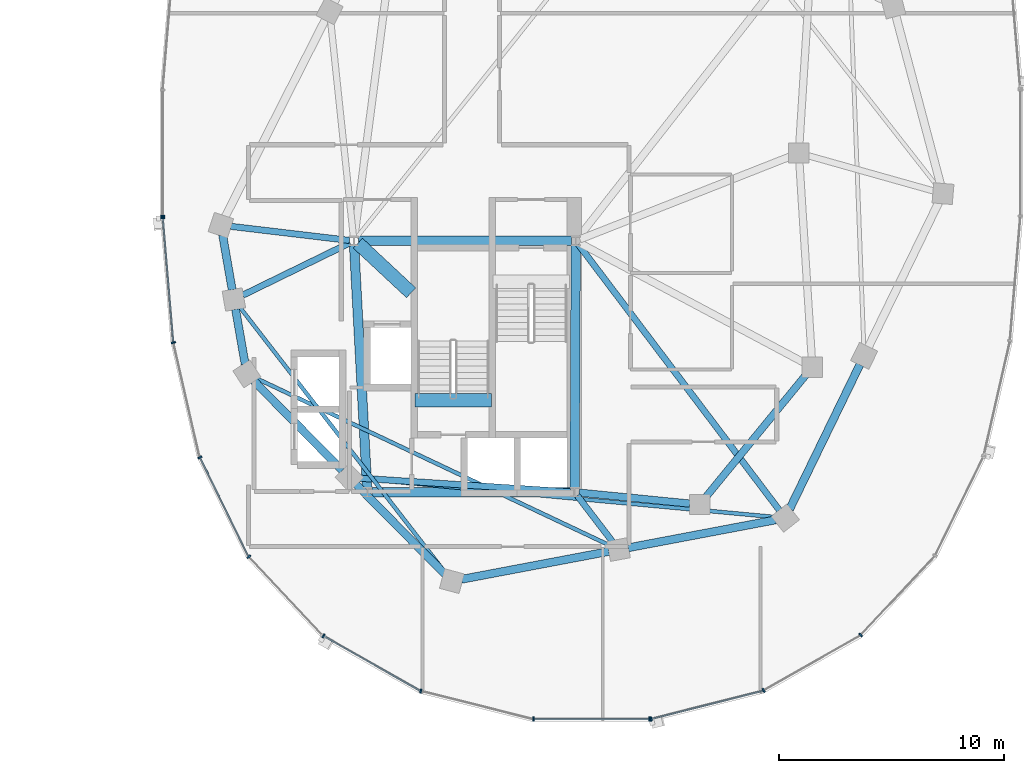
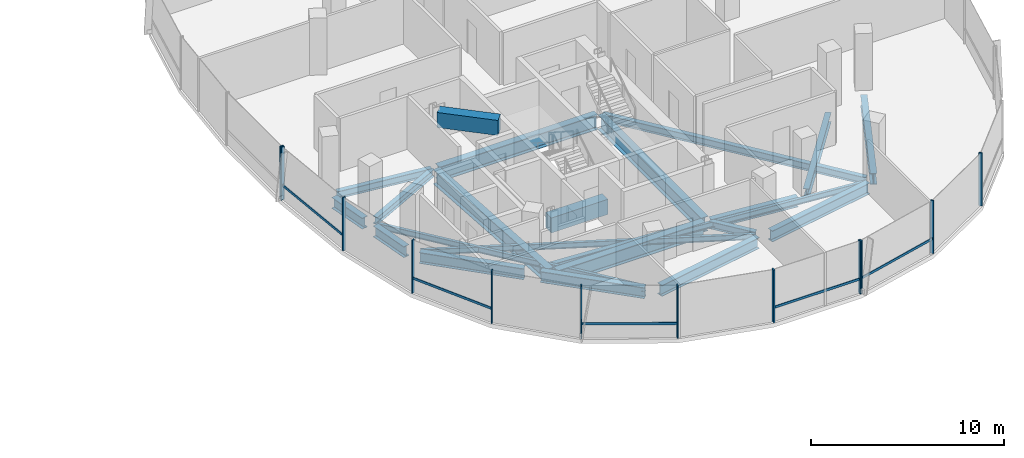
# One storey, part 8 of 25: 23 beams, 17 members, 3 elements without a shape of their own.
"""IFC4 building model written with IfcOpenShell, lengths in metres."""

from ifc_helpers import new_model, si_unit, direction, frame, origin, origin_2d, place, context, subcontext, project, spatial, rectangle, i_section, extrude, material, material_profile, profile_set, type_object, element, aggregate, save


model = new_model("IFC4")

# Units and contexts
model_context = context("Model", 3, precision=1e-05, world=origin(), true_north=direction((0.0, 1.0)))
body_context = subcontext(model_context, "Body", "Model", "MODEL_VIEW")
ifc_project = project(units=[si_unit("LENGTHUNIT", "METRE"), si_unit("AREAUNIT", "SQUARE_METRE"), si_unit("VOLUMEUNIT", "CUBIC_METRE"), si_unit("PLANEANGLEUNIT", "RADIAN"), si_unit("MASSUNIT", "GRAM", prefix="KILO"), si_unit("THERMODYNAMICTEMPERATUREUNIT", "KELVIN"), si_unit("POWERUNIT", "WATT")], contexts=[model_context])

# Site, building, storey
site_placement = place(None, origin())
site = spatial("IfcSite", under=ifc_project, at=site_placement, CompositionType="ELEMENT")
building_placement = place(site_placement, origin())
building = spatial("IfcBuilding", under=site, at=building_placement, Name="Cundina Bronze Exchange", CompositionType="ELEMENT")
storey_placement = place(building_placement, frame((0.0, 0.0, 220.60009765625)))
storey = spatial("IfcBuildingStorey", under=building, at=storey_placement, Name="L58", CompositionType="ELEMENT", Elevation=220.60009765625)

# Beams
ifc_material_1 = material(Name="Concrete C60/75", Category="concrete")
ifc_material_profile_1 = material_profile(ifc_material_1, rectangle(XDim=0.60009765625, YDim=0.949951171875, at=origin_2d()), Name="RC600X950", Category="concrete")
ifc_profile_set_1 = profile_set([ifc_material_profile_1], Name="Concrete C60/75")
beam_type_1 = type_object("IfcBeamType", Name="BM-COUP-RC950", PredefinedType="LINTEL", material=ifc_profile_set_1)
beam_1_placement = place(storey_placement, frame((24.159912109375, -10.97998046875, -0.47509765625), z_axis=(1.0, 0.0, 0.0), x_axis=(0.0, 1.0, 0.0)))
element("IfcBeam", 1, at=beam_1_placement, inside=storey, type_object=beam_type_1, Name="L58 Stair E2 Landing Header Beam", PredefinedType="LINTEL", context=body_context, shape_type="SweptSolid", body=[
    extrude(rectangle(XDim=0.60009765625, YDim=0.949951171875, at=origin_2d()), origin(), (0.0, 0.0, 1.0), 3.400146484375),
])
beam_2_placement = place(storey_placement, frame((21.6298828125, -4.0, 2.864990234375), z_axis=(0.731490439815, -0.681851696822, 0.0), x_axis=(0.681851696822, 0.731490439815, 0.0)))
element("IfcBeam", 2, at=beam_2_placement, inside=storey, type_object=beam_type_1, Name="L58 E Core Shear Coupling Lintel Beam", PredefinedType="LINTEL", context=body_context, shape_type="SweptSolid", body=[
    extrude(rectangle(XDim=0.60009765625, YDim=0.949951171875, at=origin_2d()), origin(), (0.0, 0.0, 1.0), 3.226318359375),
])
ifc_material_2 = material(Name="Steel ASTM A992 Grade 50", Category="steel")
ifc_material_profile_2 = material_profile(ifc_material_2, i_section(OverallWidth=0.280029296875, OverallDepth=0.462890625, WebThickness=0.0107421875, FlangeThickness=0.017333984375, FilletRadius=0.011962890625, at=origin_2d()), Name="W18X76", Category="steel")
ifc_profile_set_2 = profile_set([ifc_material_profile_2], Name="Steel ASTM A992 Grade 50")
beam_type_2 = type_object("IfcBeamType", Name="BM-FLR-W18A", PredefinedType="BEAM", material=ifc_profile_set_2)
beam_3_placement = place(storey_placement, frame((21.25537109375, -3.876953125, -0.49169921875), z_axis=(-0.993036786722, 0.117804669761, 0.0), x_axis=(-0.117804669761, -0.993036786722, 0.0)))
element("IfcBeam", 3, at=beam_3_placement, inside=storey, type_object=beam_type_2, Name="L58 Leg E Chordal Floor Beam 00", PredefinedType="BEAM", context=body_context, shape_type="SweptSolid", body=[
    extrude(i_section(OverallWidth=0.280029296875, OverallDepth=0.462890625, WebThickness=0.0107421875, FlangeThickness=0.017333984375, FilletRadius=0.011962890625, at=origin_2d()), origin(), (0.0, 0.0, 1.0), 5.307373046875),
])
beam_4_placement = place(storey_placement, frame((21.27392578125, -3.986083984375, -0.49169921875), z_axis=(-0.898613202677, -0.438741737214, 0.0), x_axis=(0.438741737214, -0.898613202677, 0.0)))
element("IfcBeam", 4, at=beam_4_placement, inside=storey, type_object=beam_type_2, Name="L58 Leg E Chordal Floor Beam 01", PredefinedType="BEAM", context=body_context, shape_type="SweptSolid", body=[
    extrude(i_section(OverallWidth=0.280029296875, OverallDepth=0.462890625, WebThickness=0.0107421875, FlangeThickness=0.017333984375, FilletRadius=0.011962890625, at=origin_2d()), origin(), (0.0, 0.0, 1.0), 5.2919921875),
])
beam_5_placement = place(storey_placement, frame((31.054443359375, -15.037353515625, -0.49169921875), z_axis=(-0.997894145252, 0.064863509559, 0.0), x_axis=(-0.064863509559, -0.997894145252, 0.0)))
element("IfcBeam", 5, at=beam_5_placement, inside=storey, type_object=beam_type_2, Name="L58 Leg E Chordal Floor Beam 03", PredefinedType="BEAM", context=body_context, shape_type="SweptSolid", body=[
    extrude(i_section(OverallWidth=0.280029296875, OverallDepth=0.462890625, WebThickness=0.0107421875, FlangeThickness=0.017333984375, FilletRadius=0.011962890625, at=origin_2d()), origin(), (0.0, 0.0, 1.0), 9.38720703125),
])
beam_6_placement = place(storey_placement, frame((31.369140625, -15.205810546875, -0.49169921875), z_axis=(0.60740437517, -0.794392802727, 0.0), x_axis=(0.794392802727, 0.60740437517, 0.0)))
element("IfcBeam", 6, at=beam_6_placement, inside=storey, type_object=beam_type_2, Name="L58 Leg E Chordal Floor Beam 05", PredefinedType="BEAM", context=body_context, shape_type="SweptSolid", body=[
    extrude(i_section(OverallWidth=0.280029296875, OverallDepth=0.462890625, WebThickness=0.0107421875, FlangeThickness=0.017333984375, FilletRadius=0.011962890625, at=origin_2d()), origin(), (0.0, 0.0, 1.0), 2.575927734375),
])
beam_7_placement = place(storey_placement, frame((31.418212890625, -4.056396484375, -0.49169921875), z_axis=(0.603104943786, -0.797661849897, 0.0), x_axis=(0.797661849897, 0.603104943786, 0.0)))
element("IfcBeam", 7, at=beam_7_placement, inside=storey, type_object=beam_type_2, Name="L58 Leg E Chordal Floor Beam 06", PredefinedType="BEAM", context=body_context, shape_type="SweptSolid", body=[
    extrude(i_section(OverallWidth=0.280029296875, OverallDepth=0.462890625, WebThickness=0.0107421875, FlangeThickness=0.017333984375, FilletRadius=0.011962890625, at=origin_2d()), origin(), (0.0, 0.0, 1.0), 14.785888671875),
])
ifc_material_profile_3 = material_profile(ifc_material_2, i_section(OverallWidth=0.172119140625, OverallDepth=0.35791015625, WebThickness=0.0078125, FlangeThickness=0.01318359375, FilletRadius=0.010009765625, at=origin_2d()), Name="W14X38", Category="steel")
ifc_profile_set_3 = profile_set([ifc_material_profile_3], Name="Steel ASTM A992 Grade 50")
beam_type_3 = type_object("IfcBeamType", Name="BM-JST-W14", PredefinedType="JOIST", material=ifc_profile_set_3)
beam_8_placement = place(storey_placement, frame((16.39306640625, -6.846435546875, -0.439208984375), z_axis=(0.612085793291, -0.790791364174, 0.0), x_axis=(0.790791364174, 0.612085793291, 0.0)))
element("IfcBeam", 8, at=beam_8_placement, inside=storey, type_object=beam_type_3, Name="L58 Leg E Lobe Floor Joist 01-04", PredefinedType="JOIST", context=body_context, shape_type="SweptSolid", body=[
    extrude(i_section(OverallWidth=0.172119140625, OverallDepth=0.35791015625, WebThickness=0.0078125, FlangeThickness=0.01318359375, FilletRadius=0.010009765625, at=origin_2d()), origin(), (0.0, 0.0, 1.0), 14.9306640625),
])
beam_9_placement = place(storey_placement, frame((17.095947265625, -9.9873046875, -0.439208984375), z_axis=(0.904073747204, -0.427376484632, 0.0), x_axis=(0.427376484632, 0.904073747204, 0.0)))
element("IfcBeam", 9, at=beam_9_placement, inside=storey, type_object=beam_type_3, Name="L58 Leg E Lobe Floor Joist 02-05", PredefinedType="JOIST", context=body_context, shape_type="SweptSolid", body=[
    extrude(i_section(OverallWidth=0.172119140625, OverallDepth=0.35791015625, WebThickness=0.0078125, FlangeThickness=0.01318359375, FilletRadius=0.010009765625, at=origin_2d()), origin(), (0.0, 0.0, 1.0), 17.374755859375),
])
beam_10_placement = place(storey_placement, frame((21.68603515625, -14.440673828125, -0.439208984375), z_axis=(0.9957017803, -0.092617302415, 0.0), x_axis=(0.092617302415, 0.9957017803, 0.0)))
element("IfcBeam", 10, at=beam_10_placement, inside=storey, type_object=beam_type_3, Name="L58 Leg E Lobe Floor Joist 03-06", PredefinedType="JOIST", context=body_context, shape_type="SweptSolid", body=[
    extrude(i_section(OverallWidth=0.172119140625, OverallDepth=0.35791015625, WebThickness=0.0078125, FlangeThickness=0.01318359375, FilletRadius=0.010009765625, at=origin_2d()), origin(), (0.0, 0.0, 1.0), 18.5576171875),
])
ifc_material_profile_4 = material_profile(ifc_material_2, i_section(OverallWidth=0.324951171875, OverallDepth=0.615966796875, WebThickness=0.013916015625, FlangeThickness=0.021484375, FilletRadius=0.01611328125, at=origin_2d()), Name="W24X117", Category="steel")
ifc_profile_set_4 = profile_set([ifc_material_profile_4], Name="Steel ASTM A992 Grade 50")
beam_type_4 = type_object("IfcBeamType", Name="BM-RING-W24", PredefinedType="USERDEFINED", material=ifc_profile_set_4)
beam_11_placement = place(storey_placement, frame((31.445068359375, -15.0693359375, -0.568115234375), z_axis=(0.995123854478, -0.09863323096, 0.0), x_axis=(0.09863323096, 0.995123854478, 0.0)))
element("IfcBeam", 11, at=beam_11_placement, inside=storey, type_object=beam_type_4, Name="L58 E Inner Structural Ring Girder 01", ObjectType="GIRDER", PredefinedType="USERDEFINED", context=body_context, shape_type="SweptSolid", body=[
    extrude(i_section(OverallWidth=0.324951171875, OverallDepth=0.615966796875, WebThickness=0.013916015625, FlangeThickness=0.021484375, FilletRadius=0.01611328125, at=origin_2d()), origin(), (0.0, 0.0, 1.0), 4.943115234375),
])
beam_12_placement = place(storey_placement, frame((37.07763671875, -15.26123046875, -0.568115234375), z_axis=(0.633912590175, 0.77340469873, 0.0), x_axis=(-0.77340469873, 0.633912590175, 0.0)))
element("IfcBeam", 12, at=beam_12_placement, inside=storey, type_object=beam_type_4, Name="L58 E Inner Structural Ring Girder 02", ObjectType="GIRDER", PredefinedType="USERDEFINED", context=body_context, shape_type="SweptSolid", body=[
    extrude(i_section(OverallWidth=0.324951171875, OverallDepth=0.615966796875, WebThickness=0.013916015625, FlangeThickness=0.021484375, FilletRadius=0.01611328125, at=origin_2d()), origin(), (0.0, 0.0, 1.0), 7.01123046875),
])
ifc_material_profile_5 = material_profile(ifc_material_2, i_section(OverallWidth=0.35498046875, OverallDepth=0.695068359375, WebThickness=0.015380859375, FlangeThickness=0.02490234375, FilletRadius=0.01806640625, at=origin_2d()), Name="W27X146", Category="steel")
ifc_profile_set_5 = profile_set([ifc_material_profile_5], Name="Steel ASTM A992 Grade 50")
beam_type_5 = type_object("IfcBeamType", Name="BM-RING-W27", PredefinedType="USERDEFINED", material=ifc_profile_set_5)
for number, where, z_axis, x_axis, name in (
    (13, (15.625244140625, -3.631591796875, -0.607666015625), (0.171628556628, -0.985161732179, 0.0), (0.985161732179, 0.171628556628, 0.0), "L58 E Perimeter Ring Girder 00"),
    (14, (16.2001953125, -6.931396484375, -0.607666015625), (0.171628556628, -0.985161732179, 0.0), (0.985161732179, 0.171628556628, 0.0), "L58 E Perimeter Ring Girder 01"),
):
    element("IfcBeam", number, at=place(storey_placement, frame(where, z_axis=z_axis, x_axis=x_axis)), inside=storey, type_object=beam_type_5, Name=name, ObjectType="GIRDER", PredefinedType="USERDEFINED", context=body_context, shape_type="SweptSolid", body=[
        extrude(i_section(OverallWidth=0.35498046875, OverallDepth=0.695068359375, WebThickness=0.015380859375, FlangeThickness=0.02490234375, FilletRadius=0.01806640625, at=origin_2d()), origin(), (0.0, 0.0, 1.0), 2.4736328125),
    ])
for number, where, z_axis, x_axis, name in (
    (15, (17.008056640625, -10.111328125, -0.607666015625), (0.703211928763, -0.710980297368, 0.0), (0.710980297368, 0.703211928763, 0.0), "L58 E Perimeter Ring Girder 02"),
    (16, (21.55810546875, -14.71142578125, -0.607666015625), (0.703211928763, -0.710980297368, 0.0), (0.710980297368, 0.703211928763, 0.0), "L58 E Perimeter Ring Girder 03"),
):
    element("IfcBeam", number, at=place(storey_placement, frame(where, z_axis=z_axis, x_axis=x_axis)), inside=storey, type_object=beam_type_5, Name=name, ObjectType="GIRDER", PredefinedType="USERDEFINED", context=body_context, shape_type="SweptSolid", body=[
        extrude(i_section(OverallWidth=0.35498046875, OverallDepth=0.695068359375, WebThickness=0.015380859375, FlangeThickness=0.02490234375, FilletRadius=0.01806640625, at=origin_2d()), origin(), (0.0, 0.0, 1.0), 5.593994140625),
    ])
beam_13_placement = place(storey_placement, frame((26.23046875, -18.918701171875, -0.607666015625), z_axis=(0.982565174657, 0.185918470175, 0.0), x_axis=(-0.185918470175, 0.982565174657, 0.0)))
element("IfcBeam", 17, at=beam_13_placement, inside=storey, type_object=beam_type_5, Name="L58 E Perimeter Ring Girder 04", ObjectType="GIRDER", PredefinedType="USERDEFINED", context=body_context, shape_type="SweptSolid", body=[
    extrude(i_section(OverallWidth=0.35498046875, OverallDepth=0.695068359375, WebThickness=0.015380859375, FlangeThickness=0.02490234375, FilletRadius=0.01806640625, at=origin_2d()), origin(), (0.0, 0.0, 1.0), 6.655029296875),
])
beam_14_placement = place(storey_placement, frame((33.63037109375, -17.5185546875, -0.607666015625), z_axis=(0.982573143022, 0.185876353022, 0.0), x_axis=(-0.185876353022, 0.982573143022, 0.0)))
element("IfcBeam", 18, at=beam_14_placement, inside=storey, type_object=beam_type_5, Name="L58 E Perimeter Ring Girder 05", ObjectType="GIRDER", PredefinedType="USERDEFINED", context=body_context, shape_type="SweptSolid", body=[
    extrude(i_section(OverallWidth=0.35498046875, OverallDepth=0.695068359375, WebThickness=0.015380859375, FlangeThickness=0.02490234375, FilletRadius=0.01806640625, at=origin_2d()), origin(), (0.0, 0.0, 1.0), 6.6552734375),
])
beam_15_placement = place(storey_placement, frame((40.79150390625, -15.80615234375, -0.607666015625), z_axis=(0.437173087764, 0.89937739094, 0.0), x_axis=(-0.89937739094, 0.437173087764, 0.0)))
element("IfcBeam", 19, at=beam_15_placement, inside=storey, type_object=beam_type_5, Name="L58 E Perimeter Ring Girder 06", ObjectType="GIRDER", PredefinedType="USERDEFINED", context=body_context, shape_type="SweptSolid", body=[
    extrude(i_section(OverallWidth=0.35498046875, OverallDepth=0.695068359375, WebThickness=0.015380859375, FlangeThickness=0.02490234375, FilletRadius=0.01806640625, at=origin_2d()), origin(), (0.0, 0.0, 1.0), 7.1298828125),
])
ifc_material_profile_6 = material_profile(ifc_material_2, i_section(OverallWidth=0.41796875, OverallDepth=0.927001953125, WebThickness=0.019287109375, FlangeThickness=0.031982421875, FilletRadius=0.02392578125, at=origin_2d()), Name="W36X231", Category="steel")
ifc_profile_set_6 = profile_set([ifc_material_profile_6], Name="Steel ASTM A992 Grade 50")
beam_type_6 = type_object("IfcBeamType", Name="BM-WRN-W36B", PredefinedType="USERDEFINED", material=ifc_profile_set_6)
beam_16_placement = place(storey_placement, frame((31.10400390625, -3.89990234375, -0.7236328125), z_axis=(-1.0, 0.0, 0.0), x_axis=(0.0, -1.0, 0.0)))
element("IfcBeam", 20, at=beam_16_placement, inside=storey, type_object=beam_type_6, Name="L58 E Core Perimeter Tie Girder 1", ObjectType="GIRDER", PredefinedType="USERDEFINED", context=body_context, shape_type="SweptSolid", body=[
    extrude(i_section(OverallWidth=0.41796875, OverallDepth=0.927001953125, WebThickness=0.019287109375, FlangeThickness=0.031982421875, FilletRadius=0.02392578125, at=origin_2d()), origin(), (0.0, 0.0, 1.0), 9.4580078125),
])
beam_17_placement = place(storey_placement, frame((21.46044921875, -4.095703125, -0.7236328125), z_axis=(0.053749317644, -0.998554460634, 0.0), x_axis=(0.998554460634, 0.053749317644, 0.0)))
element("IfcBeam", 21, at=beam_17_placement, inside=storey, type_object=beam_type_6, Name="L58 E Core Perimeter Tie Girder 2", ObjectType="GIRDER", PredefinedType="USERDEFINED", context=body_context, shape_type="SweptSolid", body=[
    extrude(i_section(OverallWidth=0.41796875, OverallDepth=0.927001953125, WebThickness=0.019287109375, FlangeThickness=0.031982421875, FilletRadius=0.02392578125, at=origin_2d()), origin(), (0.0, 0.0, 1.0), 10.774169921875),
])
beam_18_placement = place(storey_placement, frame((22.24609375, -15.050048828125, -0.7236328125), z_axis=(1.0, 0.0, 0.0), x_axis=(0.0, 1.0, 0.0)))
element("IfcBeam", 22, at=beam_18_placement, inside=storey, type_object=beam_type_6, Name="L58 E Core Perimeter Tie Girder 3", ObjectType="GIRDER", PredefinedType="USERDEFINED", context=body_context, shape_type="SweptSolid", body=[
    extrude(i_section(OverallWidth=0.41796875, OverallDepth=0.927001953125, WebThickness=0.019287109375, FlangeThickness=0.031982421875, FilletRadius=0.02392578125, at=origin_2d()), origin(), (0.0, 0.0, 1.0), 8.807861328125),
])
beam_19_placement = place(storey_placement, frame((31.2509765625, -14.85400390625, -0.7236328125), z_axis=(0.004470623654, 0.999990006712, 0.0), x_axis=(-0.999990006712, 0.004470623654, 0.0)))
element("IfcBeam", 23, at=beam_19_placement, inside=storey, type_object=beam_type_6, Name="L58 E Core Perimeter Tie Girder 4", ObjectType="GIRDER", PredefinedType="USERDEFINED", context=body_context, shape_type="SweptSolid", body=[
    extrude(i_section(OverallWidth=0.41796875, OverallDepth=0.927001953125, WebThickness=0.019287109375, FlangeThickness=0.031982421875, FilletRadius=0.02392578125, at=origin_2d()), origin(), (0.0, 0.0, 1.0), 10.758056640625),
])

# Curtain wall, member
ifc_material_3 = material(Name="Anodised Bronze Aluminium 6063-T6", Category="aluminium")
curtain_wall_type = type_object("IfcCurtainWallType", Name="CWS-UPP-OFF", PredefinedType="NOTDEFINED", material=ifc_material_3)
curtain_wall_1_placement = place(storey_placement, origin())
curtain_wall_1 = element("IfcCurtainWall", 24, at=curtain_wall_1_placement, inside=storey, type_object=curtain_wall_type, Name="L58 CW-05 Curtain Wall Run CWR-L58-E2", PredefinedType="NOTDEFINED")
ifc_material_profile_7 = material_profile(ifc_material_3, rectangle(XDim=0.070068359375, YDim=0.18994140625, at=origin_2d()), Name="AL70X190", Category="aluminium")
ifc_profile_set_7 = profile_set([ifc_material_profile_7], Name="Anodised Bronze Aluminium 6063-T6")
member_type_1 = type_object("IfcMemberType", Name="CWM-MUL-190", PredefinedType="MULLION", material=ifc_profile_set_7)
member_1_placement = place(storey_placement, frame((12.966064453125, -2.794921875, 0.0), z_axis=(0.0, 0.0, 1.0), x_axis=(0.0, -1.0, 0.0)))
member_1 = element("IfcMember", 25, at=member_1_placement, type_object=member_type_1, Name="CW-05 End Mullion", PredefinedType="MULLION", context=body_context, shape_type="SweptSolid", body=[
    extrude(rectangle(XDim=0.070068359375, YDim=0.18994140625, at=origin_2d()), origin(), (0.0, 0.0, 1.0), 3.33984375),
])
aggregate(curtain_wall_1, [member_1])

# Curtain wall, members
curtain_wall_2_placement = place(storey_placement, origin())
curtain_wall_2 = element("IfcCurtainWall", 26, at=curtain_wall_2_placement, inside=storey, type_object=curtain_wall_type, Name="L58 CW-05 Curtain Wall Run CWR-L58-E3", PredefinedType="NOTDEFINED")
member_2_placement = place(storey_placement, frame((12.9697265625, -2.88330078125, 0.0), z_axis=(0.0, 0.0, 1.0), x_axis=(0.083677843332, -0.99649285925, 0.0)))
member_2 = element("IfcMember", 27, at=member_2_placement, type_object=member_type_1, Name="CW-05 Mullion 1", PredefinedType="MULLION", context=body_context, shape_type="SweptSolid", body=[
    extrude(rectangle(XDim=0.070068359375, YDim=0.18994140625, at=origin_2d()), origin(), (0.0, 0.0, 1.0), 3.33984375),
])
member_3_placement = place(storey_placement, frame((13.43994140625, -8.4111328125, 0.0), z_axis=(0.0, 0.0, 1.0), x_axis=(0.223250116011, -0.974761194191, 0.0)))
member_3 = element("IfcMember", 28, at=member_3_placement, type_object=member_type_1, Name="CW-05 Mullion 2", PredefinedType="MULLION", context=body_context, shape_type="SweptSolid", body=[
    extrude(rectangle(XDim=0.070068359375, YDim=0.18994140625, at=origin_2d()), origin(), (0.0, 0.0, 1.0), 3.33984375),
])
member_4_placement = place(storey_placement, frame((14.61572265625, -13.50732421875, 0.0), z_axis=(0.0, 0.0, 1.0), x_axis=(0.440566004113, -0.897720221461, 0.0)))
member_4 = element("IfcMember", 29, at=member_4_placement, type_object=member_type_1, Name="CW-05 Mullion 3", PredefinedType="MULLION", context=body_context, shape_type="SweptSolid", body=[
    extrude(rectangle(XDim=0.070068359375, YDim=0.18994140625, at=origin_2d()), origin(), (0.0, 0.0, 1.0), 3.33984375),
])
member_5_placement = place(storey_placement, frame((16.790283203125, -17.91796875, 0.0), z_axis=(0.0, 0.0, 1.0), x_axis=(0.684292606175, -0.729207535023, 0.0)))
member_5 = element("IfcMember", 30, at=member_5_placement, type_object=member_type_1, Name="CW-05 Mullion 4", PredefinedType="MULLION", context=body_context, shape_type="SweptSolid", body=[
    extrude(rectangle(XDim=0.070068359375, YDim=0.18994140625, at=origin_2d()), origin(), (0.0, 0.0, 1.0), 3.33984375),
])
member_6_placement = place(storey_placement, frame((20.100341796875, -21.43115234375, 0.0), z_axis=(0.0, 0.0, 1.0), x_axis=(0.86958112538, -0.493790103568, 0.0)))
member_6 = element("IfcMember", 31, at=member_6_placement, type_object=member_type_1, Name="CW-05 Mullion 5", PredefinedType="MULLION", context=body_context, shape_type="SweptSolid", body=[
    extrude(rectangle(XDim=0.070068359375, YDim=0.18994140625, at=origin_2d()), origin(), (0.0, 0.0, 1.0), 3.33984375),
])
member_7_placement = place(storey_placement, frame((24.422607421875, -23.87548828125, 0.0), z_axis=(0.0, 0.0, 1.0), x_axis=(0.969744325821, -0.244122802168, 0.0)))
member_7 = element("IfcMember", 32, at=member_7_placement, type_object=member_type_1, Name="CW-05 Mullion 6", PredefinedType="MULLION", context=body_context, shape_type="SweptSolid", body=[
    extrude(rectangle(XDim=0.070068359375, YDim=0.18994140625, at=origin_2d()), origin(), (0.0, 0.0, 1.0), 3.33984375),
])
member_8_placement = place(storey_placement, frame((29.419921875, -25.125, 0.0), z_axis=(0.0, 0.0, 1.0), x_axis=(1.0, 0.0, 0.0)))
member_8 = element("IfcMember", 33, at=member_8_placement, type_object=member_type_1, Name="CW-05 Mullion 7", PredefinedType="MULLION", context=body_context, shape_type="SweptSolid", body=[
    extrude(rectangle(XDim=0.070068359375, YDim=0.18994140625, at=origin_2d()), origin(), (0.0, 0.0, 1.0), 3.33984375),
])
member_9_placement = place(storey_placement, frame((34.580078125, -25.125, 0.0), z_axis=(0.0, 0.0, 1.0), x_axis=(1.0, 0.0, 0.0)))
member_9 = element("IfcMember", 34, at=member_9_placement, type_object=member_type_1, Name="CW-05 End Mullion", PredefinedType="MULLION", context=body_context, shape_type="SweptSolid", body=[
    extrude(rectangle(XDim=0.070068359375, YDim=0.18994140625, at=origin_2d()), origin(), (0.0, 0.0, 1.0), 3.33984375),
])

curtain_wall_3_placement = place(storey_placement, origin())
curtain_wall_3 = element("IfcCurtainWall", 35, at=curtain_wall_3_placement, inside=storey, type_object=curtain_wall_type, Name="L58 CW-05 Curtain Wall Run CWR-L58-E4", PredefinedType="NOTDEFINED")
member_10_placement = place(storey_placement, frame((34.6484375, -25.116455078125, 0.0), z_axis=(0.0, 0.0, 1.0), x_axis=(0.969744325821, 0.244122802168, 0.0)))
member_10 = element("IfcMember", 36, at=member_10_placement, type_object=member_type_1, Name="CW-05 Mullion 1", PredefinedType="MULLION", context=body_context, shape_type="SweptSolid", body=[
    extrude(rectangle(XDim=0.070068359375, YDim=0.18994140625, at=origin_2d()), origin(), (0.0, 0.0, 1.0), 3.33984375),
])
member_11_placement = place(storey_placement, frame((39.638916015625, -23.850830078125, 0.0), z_axis=(0.0, 0.0, 1.0), x_axis=(0.86958112538, 0.493790103568, 0.0)))
member_11 = element("IfcMember", 37, at=member_11_placement, type_object=member_type_1, Name="CW-05 Mullion 2", PredefinedType="MULLION", context=body_context, shape_type="SweptSolid", body=[
    extrude(rectangle(XDim=0.070068359375, YDim=0.18994140625, at=origin_2d()), origin(), (0.0, 0.0, 1.0), 3.33984375),
])
member_12_placement = place(storey_placement, frame((43.94873046875, -21.392578125, 0.0), z_axis=(0.0, 0.0, 1.0), x_axis=(0.684292606175, 0.729207535023, 0.0)))
member_12 = element("IfcMember", 38, at=member_12_placement, type_object=member_type_1, Name="CW-05 Mullion 3", PredefinedType="MULLION", context=body_context, shape_type="SweptSolid", body=[
    extrude(rectangle(XDim=0.070068359375, YDim=0.18994140625, at=origin_2d()), origin(), (0.0, 0.0, 1.0), 3.33984375),
])

# Member
ifc_material_profile_8 = material_profile(ifc_material_3, rectangle(XDim=0.06494140625, YDim=0.14990234375, at=origin_2d()), Name="AL65X150", Category="aluminium")
ifc_profile_set_8 = profile_set([ifc_material_profile_8], Name="Anodised Bronze Aluminium 6063-T6")
member_type_2 = type_object("IfcMemberType", Name="CWM-TRN-150", PredefinedType="USERDEFINED", material=ifc_profile_set_8)
member_13_placement = place(storey_placement, frame((12.972900390625, -2.921630859375, 0.919921875), z_axis=(0.083740331158, -0.996487610027, 0.0), x_axis=(0.996487610027, 0.083740331158, 0.0)))
member_13 = element("IfcMember", 39, at=member_13_placement, type_object=member_type_2, Name="CW-05 Spandrel Transom 1", ObjectType="TRANSOM", PredefinedType="USERDEFINED", context=body_context, shape_type="SweptSolid", body=[
    extrude(rectangle(XDim=0.06494140625, YDim=0.14990234375, at=origin_2d()), origin(), (0.0, 0.0, 1.0), 5.466552734375),
])

member_14_placement = place(storey_placement, frame((14.6328125, -13.5419921875, 0.919921875), z_axis=(0.440483110889, -0.897760897467, 0.0), x_axis=(0.897760897467, 0.440483110889, 0.0)))
member_14 = element("IfcMember", 40, at=member_14_placement, type_object=member_type_2, Name="CW-05 Spandrel Transom 3", ObjectType="TRANSOM", PredefinedType="USERDEFINED", context=body_context, shape_type="SweptSolid", body=[
    extrude(rectangle(XDim=0.06494140625, YDim=0.14990234375, at=origin_2d()), origin(), (0.0, 0.0, 1.0), 4.855224609375),
])

member_15_placement = place(storey_placement, frame((20.1337890625, -21.4501953125, 0.919921875), z_axis=(0.869573748083, -0.493803095013, 0.0), x_axis=(0.493803095013, 0.869573748083, 0.0)))
member_15 = element("IfcMember", 41, at=member_15_placement, type_object=member_type_2, Name="CW-05 Spandrel Transom 5", ObjectType="TRANSOM", PredefinedType="USERDEFINED", context=body_context, shape_type="SweptSolid", body=[
    extrude(rectangle(XDim=0.06494140625, YDim=0.14990234375, at=origin_2d()), origin(), (0.0, 0.0, 1.0), 4.900146484375),
])

member_16_placement = place(storey_placement, frame((29.45849609375, -25.125, 0.919921875), z_axis=(1.0, 0.0, 0.0), x_axis=(0.0, 1.0, 0.0)))
member_16 = element("IfcMember", 42, at=member_16_placement, type_object=member_type_2, Name="CW-05 Spandrel Transom 7", ObjectType="TRANSOM", PredefinedType="USERDEFINED", context=body_context, shape_type="SweptSolid", body=[
    extrude(rectangle(XDim=0.06494140625, YDim=0.14990234375, at=origin_2d()), origin(), (0.0, 0.0, 1.0), 5.0830078125),
])

aggregate(curtain_wall_2, [member_2, member_13, member_3, member_4, member_14, member_5, member_6, member_15, member_7, member_8, member_9, member_16])

member_17_placement = place(storey_placement, frame((34.685791015625, -25.107177734375, 0.919921875), z_axis=(0.969725738797, 0.244196624699, 0.0), x_axis=(-0.244196624699, 0.969725738797, 0.0)))
member_17 = element("IfcMember", 43, at=member_17_placement, type_object=member_type_2, Name="CW-05 Spandrel Transom 1", ObjectType="TRANSOM", PredefinedType="USERDEFINED", context=body_context, shape_type="SweptSolid", body=[
    extrude(rectangle(XDim=0.06494140625, YDim=0.14990234375, at=origin_2d()), origin(), (0.0, 0.0, 1.0), 5.082763671875),
])

aggregate(curtain_wall_3, [member_10, member_17, member_11, member_12])

save(model, "model.ifc")
